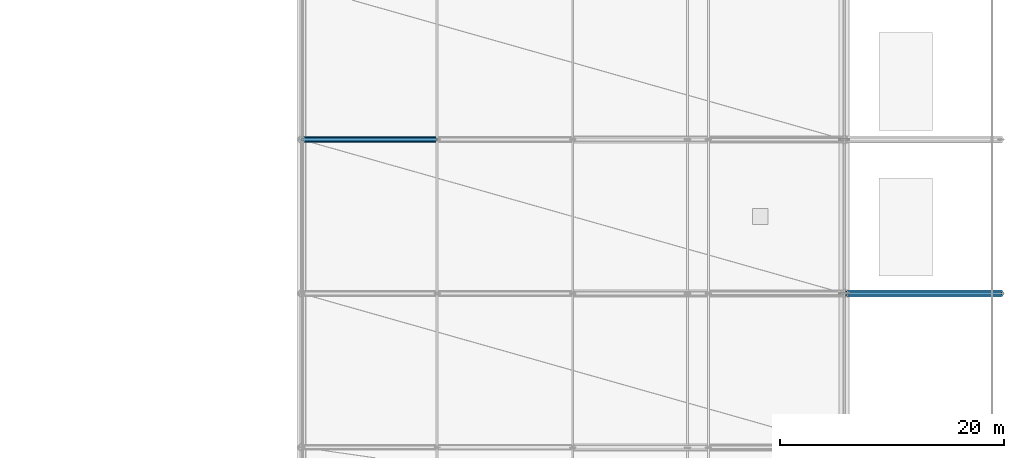
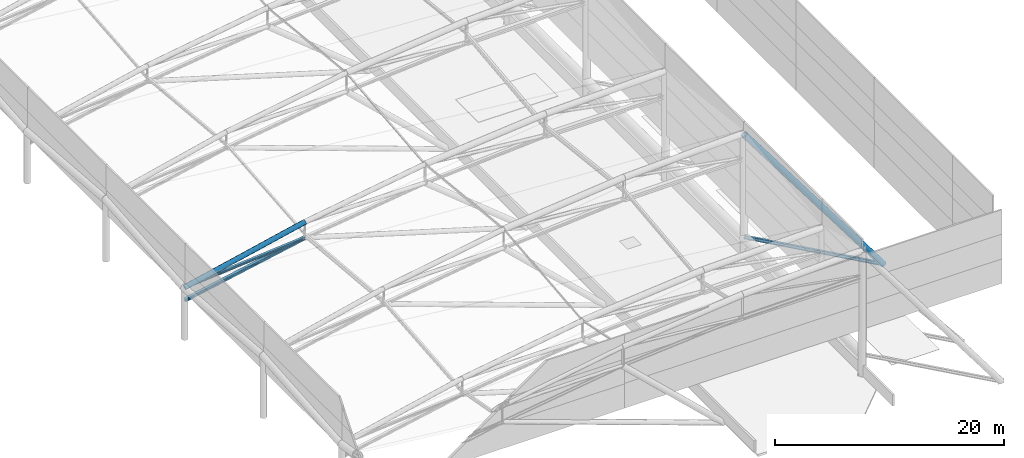
# One storey, part 39 of 113: 5 members.
"""IFC4 building model written with IfcOpenShell, lengths in metres."""

from ifc_helpers import new_model, si_unit, direction, frame, origin, origin_2d, place, context, subcontext, project, spatial, hollow_circle, i_section, extrude, material, material_profile, profile_set, type_object, element, save


model = new_model("IFC4")

# Units and contexts
model_context = context("Model", 3, precision=1e-05, world=origin(), true_north=direction((0.0, 1.0)))
body_context = subcontext(model_context, "Body", "Model", "MODEL_VIEW")
ifc_project = project(units=[si_unit("LENGTHUNIT", "METRE"), si_unit("AREAUNIT", "SQUARE_METRE"), si_unit("VOLUMEUNIT", "CUBIC_METRE"), si_unit("PLANEANGLEUNIT", "RADIAN"), si_unit("MASSUNIT", "GRAM", prefix="KILO")], contexts=[model_context])

# Site, building, storey
site_placement = place(None, origin())
site = spatial("IfcSite", under=ifc_project, at=site_placement, CompositionType="ELEMENT")
building_placement = place(site_placement, origin())
building = spatial("IfcBuilding", under=site, at=building_placement, Name="Linyun Crest Stadium", CompositionType="ELEMENT")
storey_placement = place(building_placement, frame((0.0, 0.0, 26.39990234375)))
storey = spatial("IfcBuildingStorey", under=building, at=storey_placement, Name="L06", CompositionType="ELEMENT", Elevation=26.39990234375)

# Members
ifc_material_1 = material(Name="Steel Q420C", Category="steel")
ifc_material_profile_1 = material_profile(ifc_material_1, hollow_circle(Radius=0.25390625, WallThickness=0.02490234375, at=origin_2d()), Name="CHS 508x25")
ifc_profile_set_1 = profile_set([ifc_material_profile_1], Name="Steel Q420C")
member_type_1 = type_object("IfcMemberType", Name="TC01", PredefinedType="CHORD", material=ifc_profile_set_1)
member_1_placement = place(storey_placement, frame((47.625, -11.625, 8.174072265625), z_axis=(-0.975645083267, 0.0, -0.219355126445), x_axis=(0.0, -1.0, 0.0)))
element("IfcMember", 1, at=member_1_placement, inside=storey, type_object=member_type_1, Name="Roof truss top chord TC01 V2 251", PredefinedType="CHORD", context=body_context, shape_type="SweptSolid", body=[
    extrude(hollow_circle(Radius=0.25390625, WallThickness=0.02490234375, at=origin_2d()), origin(), (0.0, 0.0, 1.0), 12.427734375),
])
ifc_material_2 = material(Name="Steel Q420C", Category="steel")
ifc_material_profile_2 = material_profile(ifc_material_2, hollow_circle(Radius=0.304931640625, WallThickness=0.030029296875, at=origin_2d()), Name="CHS 610x30")
ifc_profile_set_2 = profile_set([ifc_material_profile_2], Name="Steel Q420C")
member_type_2 = type_object("IfcMemberType", Name="TC02", PredefinedType="CHORD", material=ifc_profile_set_2)
member_2_placement = place(storey_placement, frame((84.0, -25.375, 13.10009765625), z_axis=(0.599315851655, 0.0, -0.800512654463), x_axis=(0.0, 1.0, 0.0)))
element("IfcMember", 2, at=member_2_placement, inside=storey, type_object=member_type_2, Name="Roof truss back-stay chord TC02 V2 219", PredefinedType="CHORD", context=body_context, shape_type="SweptSolid", body=[
    extrude(hollow_circle(Radius=0.304931640625, WallThickness=0.030029296875, at=origin_2d()), origin(), (0.0, 0.0, 1.0), 23.35986328125),
])
ifc_material_3 = material(Name="Steel Q355C", Category="steel")
ifc_material_profile_3 = material_profile(ifc_material_3, i_section(OverallWidth=0.300048828125, OverallDepth=0.300048828125, WebThickness=0.010009765625, FlangeThickness=0.014892578125, at=origin_2d()), Name="HW 300x300")
ifc_profile_set_3 = profile_set([ifc_material_profile_3], Name="Steel Q355C")
member_type_3 = type_object("IfcMemberType", Name="TC03", PredefinedType="CHORD", material=ifc_profile_set_3)
member_3_placement = place(storey_placement, frame((84.0, -25.375, 2.18505859375), z_axis=(0.873968137748, 0.0, -0.485983224197), x_axis=(0.0, 1.0, 0.0)))
element("IfcMember", 3, at=member_3_placement, inside=storey, type_object=member_type_3, Name="Roof truss lower back-span chord TC03 V2 220", PredefinedType="CHORD", context=body_context, shape_type="SweptSolid", body=[
    extrude(i_section(OverallWidth=0.300048828125, OverallDepth=0.300048828125, WebThickness=0.010009765625, FlangeThickness=0.014892578125, at=origin_2d()), origin(), (0.0, 0.0, 1.0), 16.018798828125),
])
member_4_placement = place(storey_placement, frame((47.625, -11.625, 6.510009765625), z_axis=(-0.9807542225, 0.0, -0.195246395737), x_axis=(0.0, -1.0, 0.0)))
element("IfcMember", 4, at=member_4_placement, inside=storey, type_object=member_type_3, Name="Roof truss bottom chord TC03 V2 252", PredefinedType="CHORD", context=body_context, shape_type="SweptSolid", body=[
    extrude(i_section(OverallWidth=0.300048828125, OverallDepth=0.300048828125, WebThickness=0.010009765625, FlangeThickness=0.014892578125, at=origin_2d()), origin(), (0.0, 0.0, 1.0), 12.363037109375),
])
ifc_material_4 = material(Name="Steel Q355C", Category="steel")
ifc_material_profile_4 = material_profile(ifc_material_4, i_section(OverallWidth=0.25, OverallDepth=0.25, WebThickness=0.009033203125, FlangeThickness=0.013916015625, at=origin_2d()), Name="HW 250x250")
ifc_profile_set_4 = profile_set([ifc_material_profile_4], Name="Steel Q355C")
member_type_4 = type_object("IfcMemberType", Name="TD04", PredefinedType="BRACE", material=ifc_profile_set_4)
member_5_placement = place(storey_placement, frame((47.625, -11.625, 6.510009765625), z_axis=(-0.996186049794, 0.0, -0.08725453682), x_axis=(0.0, -1.0, 0.0)))
element("IfcMember", 5, at=member_5_placement, inside=storey, type_object=member_type_4, Name="Roof truss diagonal TD04 V2 253", PredefinedType="BRACE", context=body_context, shape_type="SweptSolid", body=[
    extrude(i_section(OverallWidth=0.25, OverallDepth=0.25, WebThickness=0.009033203125, FlangeThickness=0.013916015625, at=origin_2d()), origin(), (0.0, 0.0, 1.0), 12.17138671875),
])

save(model, "model.ifc")
